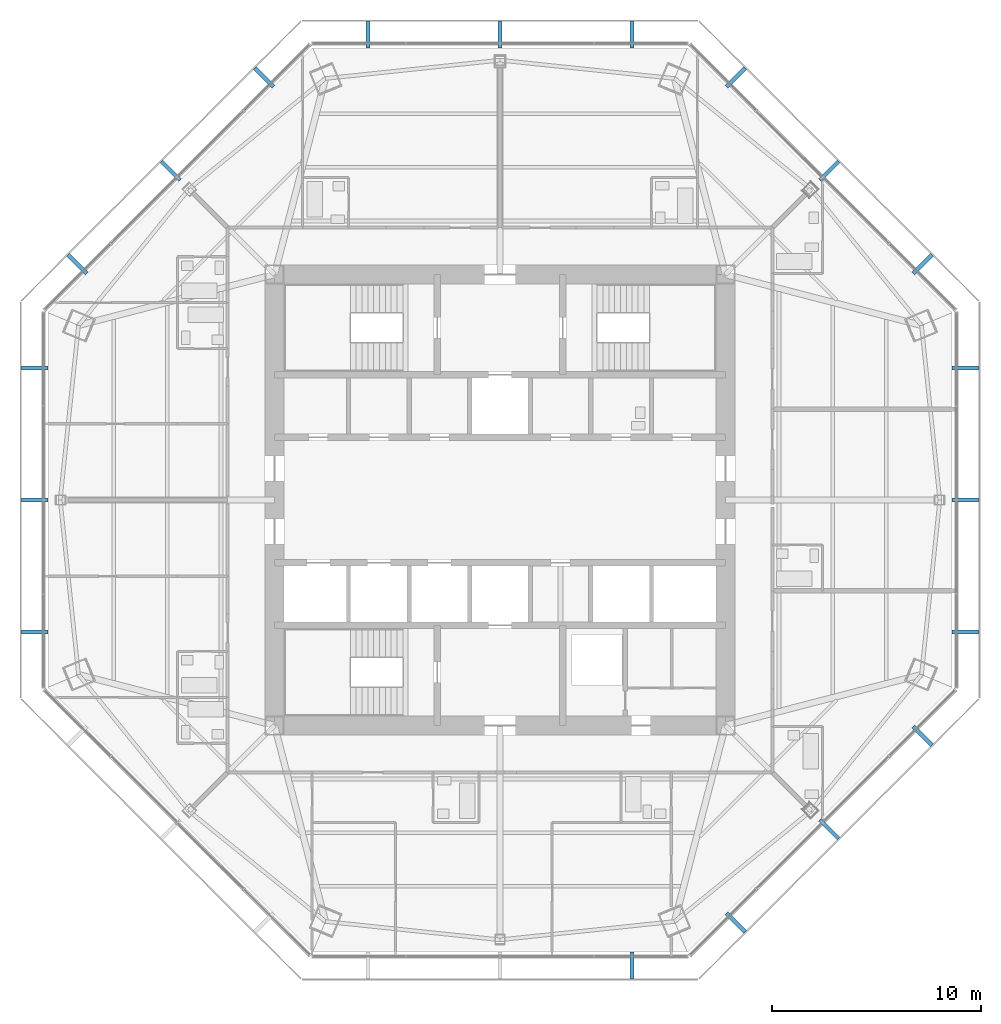
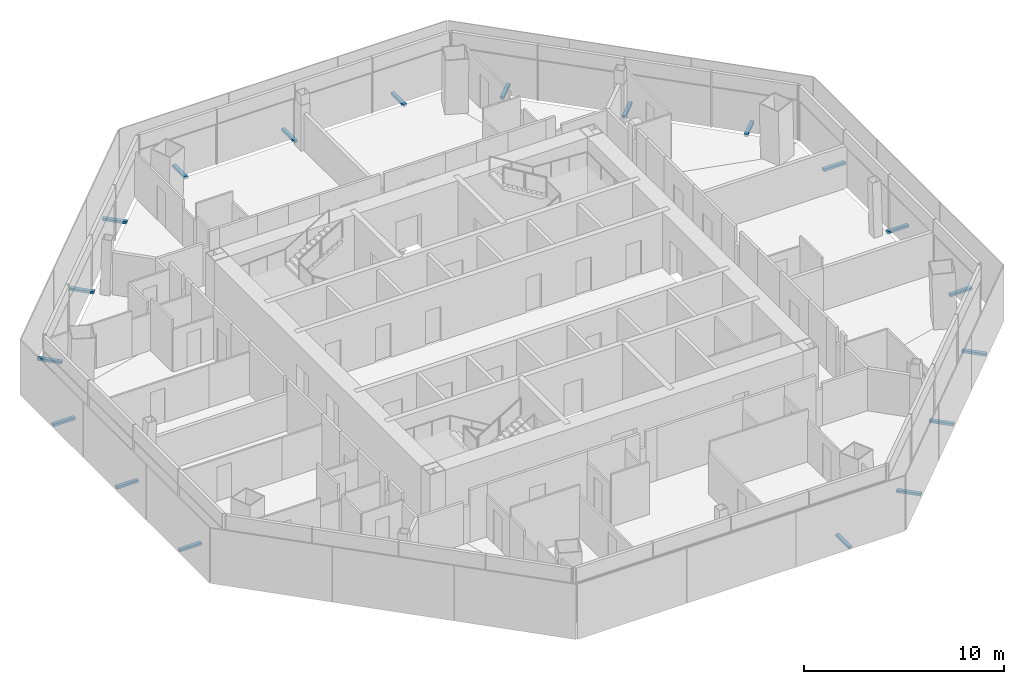
# One storey, part 13 of 16: 19 discrete accessories.
"""IFC4 building model written with IfcOpenShell, lengths in metres."""

from ifc_helpers import new_model, si_unit, direction, frame, origin, origin_2d, place, context, subcontext, project, spatial, rectangle, extrude, source, transform, mapped, material, type_object, type_shapes, element, save


model = new_model("IFC4")

# Units and contexts
model_context = context("Model", 3, precision=1e-05, world=origin(), true_north=direction((0.0, 1.0)))
body_context = subcontext(model_context, "Body", "Model", "MODEL_VIEW")
ifc_project = project(units=[si_unit("LENGTHUNIT", "METRE"), si_unit("AREAUNIT", "SQUARE_METRE"), si_unit("VOLUMEUNIT", "CUBIC_METRE"), si_unit("PLANEANGLEUNIT", "RADIAN"), si_unit("MASSUNIT", "GRAM", prefix="KILO")], contexts=[model_context])

# Site, building, storey
site_placement = place(None, origin())
site = spatial("IfcSite", under=ifc_project, at=site_placement, CompositionType="ELEMENT")
building_placement = place(site_placement, origin())
building = spatial("IfcBuilding", under=site, at=building_placement, Name="Mashrafa Tower", CompositionType="ELEMENT")
storey_placement = place(building_placement, frame((0.0, 0.0, 217.60009765625)))
storey = spatial("IfcBuildingStorey", under=building, at=storey_placement, Name="L50", CompositionType="ELEMENT", Elevation=217.60009765625)

# Discrete accessories
ifc_material = material(Name="Stainless steel screen bracket", Category="steel")
discrete_accessory_type = type_object("IfcDiscreteAccessoryType", Name="Screen support bracket 200 x 150", PredefinedType="BRACKET", material=ifc_material)
shared_shape = source(origin(), body_context, "Body", "SweptSolid", [
    extrude(rectangle(XDim=0.199951171875, YDim=1.27001953125, at=origin_2d()), origin(), (0.0, 0.0, 1.0), 0.14990234375),
])
type_shapes(discrete_accessory_type, [shared_shape])
for number, where, z_axis, x_axis, name in (
    (1, (22.294189453125, -6.324951171875, -0.150146484375), (0.0, 0.0, 1.0), (0.0, 1.0, 0.0), "Screen support bracket L50 east 1"),
    (2, (22.294189453125, 0.0, -0.150146484375), (0.0, 0.0, 1.0), (0.0, 1.0, 0.0), "Screen support bracket L50 east 2"),
    (3, (22.294189453125, 6.324951171875, -0.150146484375), (0.0, 0.0, 1.0), (0.0, 1.0, 0.0), "Screen support bracket L50 east 3"),
    (4, (20.23681640625, 11.291748046875, -0.150146484375), (0.0, 0.0, 1.0), (-0.707106781187, 0.707106781187, 0.0), "Screen support bracket L50 north-east 1"),
    (5, (15.764404296875, 15.764404296875, -0.150146484375), (0.0, 0.0, 1.0), (-0.707106781187, 0.707106781187, 0.0), "Screen support bracket L50 north-east 2"),
    (6, (11.291748046875, 20.23681640625, -0.150146484375), (0.0, 0.0, 1.0), (-0.707106781187, 0.707106781187, 0.0), "Screen support bracket L50 north-east 3"),
    (7, (6.324951171875, 22.294189453125, -0.150146484375), (0.0, 0.0, 1.0), (-1.0, 0.0, 0.0), "Screen support bracket L50 north 1"),
    (8, (0.0, 22.294189453125, -0.150146484375), (0.0, 0.0, 1.0), (-1.0, 0.0, 0.0), "Screen support bracket L50 north 2"),
    (9, (-6.324951171875, 22.294189453125, -0.150146484375), (0.0, 0.0, 1.0), (-1.0, 0.0, 0.0), "Screen support bracket L50 north 3"),
    (10, (-11.291748046875, 20.23681640625, -0.150146484375), (0.0, 0.0, 1.0), (-0.707106781187, -0.707106781187, 0.0), "Screen support bracket L50 north-west 1"),
    (11, (-15.764404296875, 15.764404296875, -0.150146484375), (0.0, 0.0, 1.0), (-0.707106781187, -0.707106781187, 0.0), "Screen support bracket L50 north-west 2"),
    (12, (-20.23681640625, 11.291748046875, -0.150146484375), (0.0, 0.0, 1.0), (-0.707106781187, -0.707106781187, 0.0), "Screen support bracket L50 north-west 3"),
    (13, (-22.294189453125, 6.324951171875, -0.150146484375), (0.0, 0.0, 1.0), (0.0, -1.0, 0.0), "Screen support bracket L50 west 1"),
    (14, (-22.294189453125, 0.0, -0.150146484375), (0.0, 0.0, 1.0), (0.0, -1.0, 0.0), "Screen support bracket L50 west 2"),
    (15, (-22.294189453125, -6.324951171875, -0.150146484375), (0.0, 0.0, 1.0), (0.0, -1.0, 0.0), "Screen support bracket L50 west 3"),
    (16, (6.324951171875, -22.294189453125, -0.150146484375), (0.0, 0.0, 1.0), (1.0, 0.0, 0.0), "Screen support bracket L50 south 3"),
    (17, (11.291748046875, -20.23681640625, -0.150146484375), (0.0, 0.0, 1.0), (0.707106781187, 0.707106781187, 0.0), "Screen support bracket L50 south-east 1"),
    (18, (15.764404296875, -15.764404296875, -0.150146484375), (0.0, 0.0, 1.0), (0.707106781187, 0.707106781187, 0.0), "Screen support bracket L50 south-east 2"),
    (19, (20.23681640625, -11.291748046875, -0.150146484375), (0.0, 0.0, 1.0), (0.707106781187, 0.707106781187, 0.0), "Screen support bracket L50 south-east 3"),
):
    element("IfcDiscreteAccessory", number, at=place(storey_placement, frame(where, z_axis=z_axis, x_axis=x_axis)), inside=storey, type_object=discrete_accessory_type, Name=name, PredefinedType="BRACKET", context=body_context, shape_type="MappedRepresentation", body=[
        mapped(shared_shape, transform((0.0, 0.0, 0.0))),
    ])

save(model, "model.ifc")
